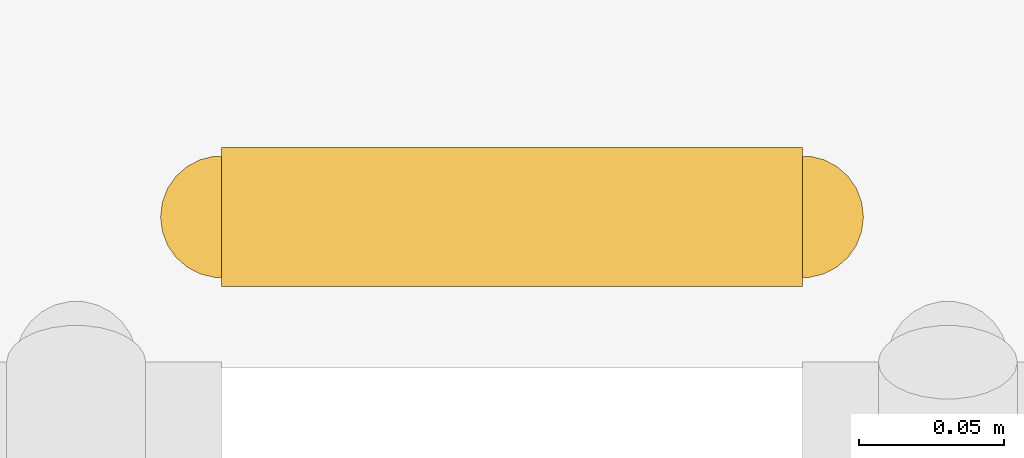
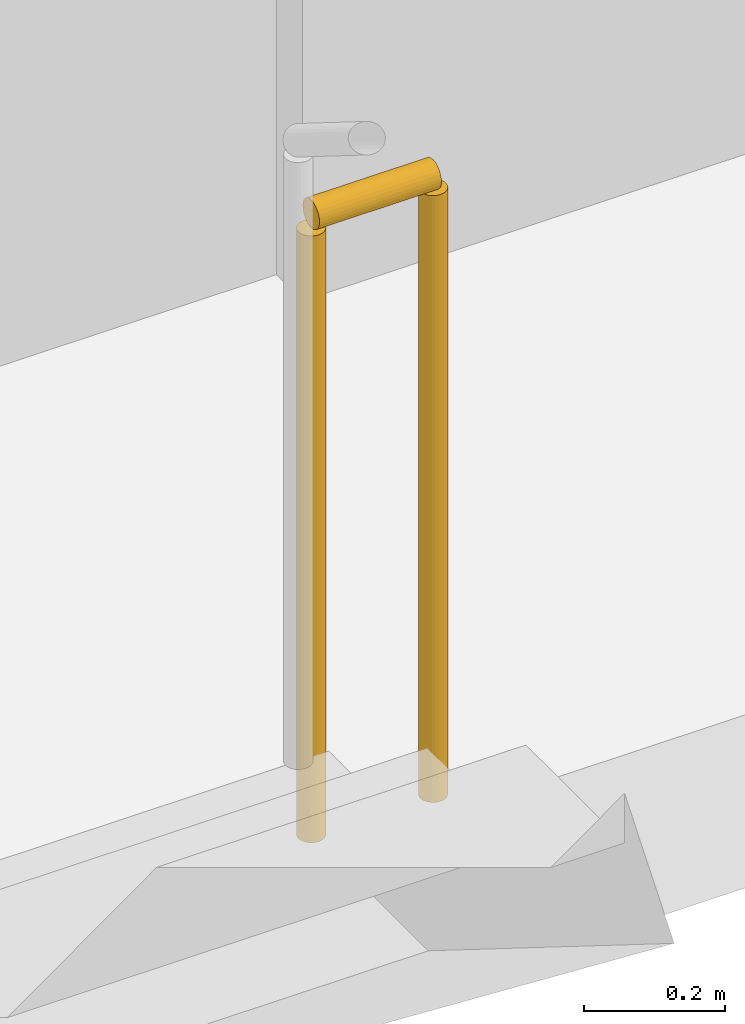
# One storey, part 21 of 21: 1 railing.
"""IFC4 building model written with IfcOpenShell, lengths in metres."""

from ifc_helpers import new_model, si_unit, direction, frame, origin, origin_2d, place, context, subcontext, project, spatial, circle, extrude, material, type_object, element, save


model = new_model("IFC4")

# Units and contexts
model_context = context("Model", 3, precision=1e-05, world=origin(), true_north=direction((0.0, 1.0)))
body_context = subcontext(model_context, "Body", "Model", "MODEL_VIEW")
ifc_project = project(units=[si_unit("LENGTHUNIT", "METRE"), si_unit("AREAUNIT", "SQUARE_METRE"), si_unit("VOLUMEUNIT", "CUBIC_METRE"), si_unit("PLANEANGLEUNIT", "RADIAN"), si_unit("MASSUNIT", "GRAM", prefix="KILO")], contexts=[model_context])

# Site, building, storey
site_placement = place(None, origin())
site = spatial("IfcSite", under=ifc_project, at=site_placement, CompositionType="ELEMENT")
building_placement = place(site_placement, origin())
building = spatial("IfcBuilding", under=site, at=building_placement, Name="Kiln Ring Residences", CompositionType="ELEMENT")
storey_placement = place(building_placement, frame((0.0, 0.0, 41.0)))
storey = spatial("IfcBuildingStorey", under=building, at=storey_placement, Name="L09", CompositionType="ELEMENT", Elevation=41.0)

# Railing
ifc_material = material(Name="Stainless steel", Category="steel")
railing_type = type_object("IfcRailingType", Name="CORE-STAIR-GUARD", PredefinedType="GUARDRAIL", material=ifc_material)
railing_placement = place(storey_placement, frame((22.0, 8.449951171875, 0.0)))
element("IfcRailing", 1, at=railing_placement, inside=storey, type_object=railing_type, Name="L09 E-STN stair guard 4", PredefinedType="GUARDRAIL", context=body_context, shape_type="SweptSolid", body=[
    extrude(circle(Radius=0.02392578125, at=origin_2d()), frame((0.0, 0.0, 1.076171875), z_axis=(1.0, 0.0, 0.0), x_axis=(0.0, 1.0, 0.0)), (0.0, 0.0, 1.0), 0.199951171875),
    extrude(circle(Radius=0.02099609375, at=origin_2d()), origin(), (0.0, 0.0, 1.0), 1.052001953125),
    extrude(circle(Radius=0.02099609375, at=origin_2d()), frame((0.199951171875, 0.0, 0.0)), (0.0, 0.0, 1.0), 1.052001953125),
])

save(model, "model.ifc")
